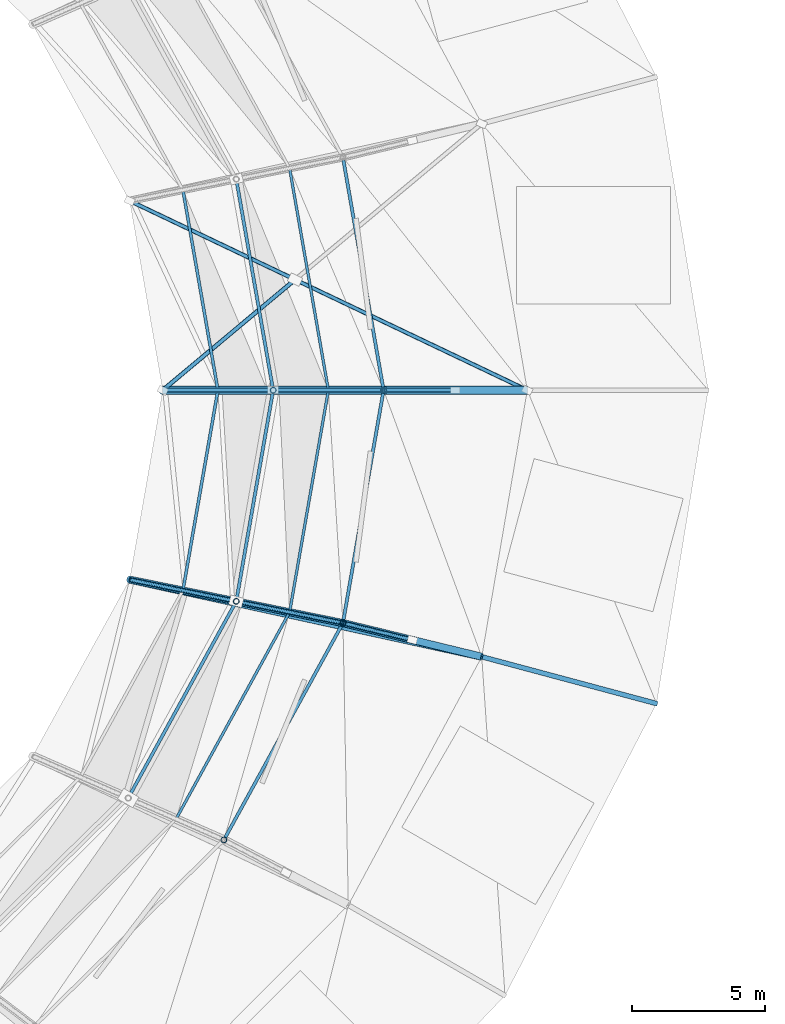
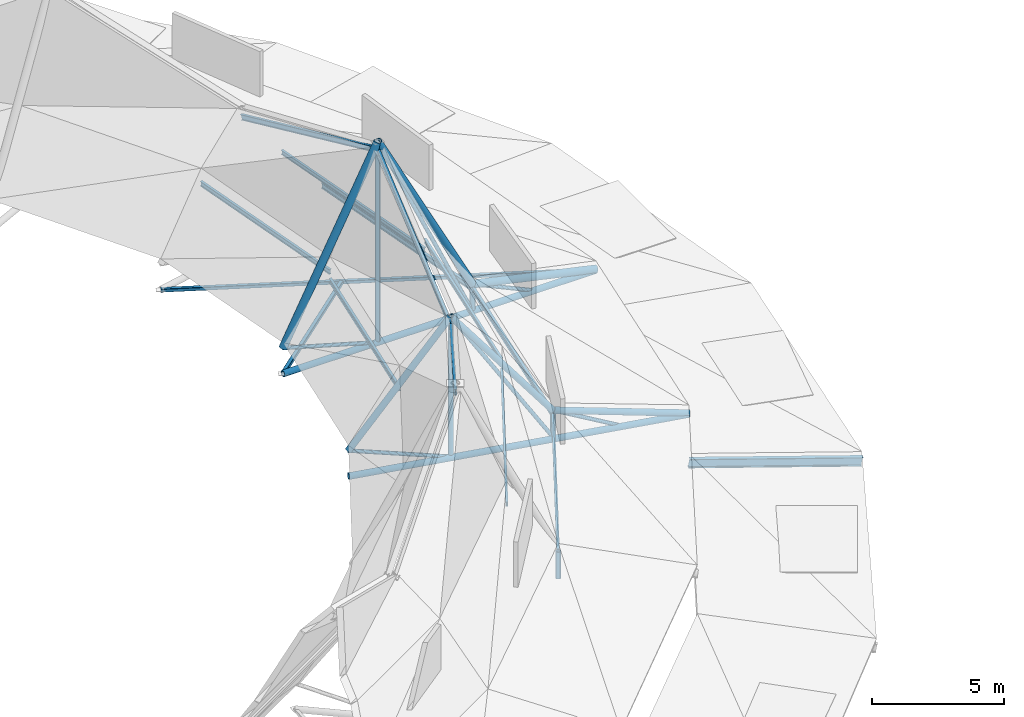
# One storey, part 18 of 36: 30 members, 3 beams.
"""IFC4 building model written with IfcOpenShell, lengths in metres."""

from ifc_helpers import new_model, si_unit, direction, frame, origin, origin_2d, place, context, subcontext, project, spatial, hollow_rectangle, hollow_circle, i_section, extrude, material, material_profile, profile_set, type_object, element, save


model = new_model("IFC4")

# Units and contexts
model_context = context("Model", 3, precision=1e-05, world=origin(), true_north=direction((0.0, 1.0)))
body_context = subcontext(model_context, "Body", "Model", "MODEL_VIEW")
ifc_project = project(units=[si_unit("LENGTHUNIT", "METRE"), si_unit("AREAUNIT", "SQUARE_METRE"), si_unit("VOLUMEUNIT", "CUBIC_METRE"), si_unit("PLANEANGLEUNIT", "RADIAN"), si_unit("MASSUNIT", "GRAM", prefix="KILO")], contexts=[model_context])

# Site, building, storey
site_placement = place(None, origin())
site = spatial("IfcSite", under=ifc_project, at=site_placement, CompositionType="ELEMENT")
building_placement = place(site_placement, origin())
building = spatial("IfcBuilding", under=site, at=building_placement, Name="Kildeholm Park Wholesale Market", CompositionType="ELEMENT")
storey_placement = place(building_placement, frame((0.0, 0.0, 17.39990234375)))
storey = spatial("IfcBuildingStorey", under=building, at=storey_placement, Name="Roof", CompositionType="ELEMENT", Elevation=17.39990234375)

# Beams
ifc_material = material(Name="Steel S355", Category="steel")
ifc_material_profile_1 = material_profile(ifc_material, i_section(OverallWidth=0.179931640625, OverallDepth=0.39990234375, WebThickness=0.008544921875, FlangeThickness=0.013427734375, FilletRadius=0.02099609375, at=origin_2d()), Name="IPE 400")
ifc_profile_set_1 = profile_set([ifc_material_profile_1], Name="Steel S355")
beam_type_1 = type_object("IfcBeamType", Name="Beam B-P01 IPE 400", PredefinedType="BEAM", material=ifc_profile_set_1)
beam_1_placement = place(storey_placement, frame((154.05810546875, 77.72412109375, -8.0244140625), z_axis=(-0.952422278961, 0.255140290138, 0.166719029766), x_axis=(-0.258761805275, -0.965941161837, 0.0)))
element("IfcBeam", 1, at=beam_1_placement, inside=storey, type_object=beam_type_1, Name="Beam BM-V1-RF-S1-23 BM-0357", PredefinedType="BEAM", context=body_context, shape_type="SweptSolid", body=[
    extrude(i_section(OverallWidth=0.179931640625, OverallDepth=0.39990234375, WebThickness=0.008544921875, FlangeThickness=0.013427734375, FilletRadius=0.02099609375, at=origin_2d()), origin(), (0.0, 0.0, 1.0), 6.897216796875),
])
ifc_material_profile_2 = material_profile(ifc_material, hollow_circle(Radius=0.136474609375, WallThickness=0.01611328125, at=origin_2d()), Name="CHS 273x16")
ifc_profile_set_2 = profile_set([ifc_material_profile_2], Name="Steel S355")
beam_type_2 = type_object("IfcBeamType", Name="Beam B-T01 CHS 273x16", PredefinedType="BEAM", material=ifc_profile_set_2)
beam_2_placement = place(storey_placement, frame((149.199951171875, 89.5, -4.6298828125), z_axis=(-1.0, 0.0, 0.0), x_axis=(0.0, -1.0, 0.0)))
element("IfcBeam", 2, at=beam_2_placement, inside=storey, type_object=beam_type_2, Name="Beam BM-V1-TIE-00 BM-0224", PredefinedType="BEAM", context=body_context, shape_type="SweptSolid", body=[
    extrude(hollow_circle(Radius=0.136474609375, WallThickness=0.01611328125, at=origin_2d()), origin(), (0.0, 0.0, 1.0), 13.699951171875),
])
beam_3_placement = place(storey_placement, frame((147.489013671875, 79.48388671875, -4.6298828125), z_axis=(-0.976846137752, 0.213943037181, 0.0), x_axis=(-0.213943037181, -0.976846137752, 0.0)))
element("IfcBeam", 3, at=beam_3_placement, inside=storey, type_object=beam_type_2, Name="Beam BM-V1-TIE-23 BM-0362", PredefinedType="BEAM", context=body_context, shape_type="SweptSolid", body=[
    extrude(hollow_circle(Radius=0.136474609375, WallThickness=0.01611328125, at=origin_2d()), origin(), (0.0, 0.0, 1.0), 13.546630859375),
])

# Members
ifc_material_profile_3 = material_profile(ifc_material, i_section(OverallWidth=0.10009765625, OverallDepth=0.199951171875, WebThickness=0.005615234375, FlangeThickness=0.008544921875, FilletRadius=0.011962890625, at=origin_2d()), Name="IPE 200")
ifc_profile_set_3 = profile_set([ifc_material_profile_3], Name="Steel S355")
member_type_1 = type_object("IfcMemberType", Name="Member PR-01 IPE 200", PredefinedType="PURLIN", material=ifc_profile_set_3)
member_1_placement = place(storey_placement, frame((141.72509765625, 89.5, -1.08056640625), z_axis=(-0.172029893705, 0.985091729572, 0.0), x_axis=(-0.985091729572, -0.172029893705, 0.0)))
element("IfcMember", 4, at=member_1_placement, inside=storey, type_object=member_type_1, Name="Member PR-V1-MDO-00 MEM-0011", PredefinedType="PURLIN", context=body_context, shape_type="SweptSolid", body=[
    extrude(i_section(OverallWidth=0.10009765625, OverallDepth=0.199951171875, WebThickness=0.005615234375, FlangeThickness=0.008544921875, FilletRadius=0.011962890625, at=origin_2d()), origin(), (0.0, 0.0, 1.0), 8.466796875),
])
member_2_placement = place(storey_placement, frame((136.0009765625, 73.387451171875, -1.0849609375), z_axis=(0.481311912793, 0.876549395415, 0.0), x_axis=(-0.876549395415, 0.481311912793, 0.0)))
element("IfcMember", 5, at=member_2_placement, inside=storey, type_object=member_type_1, Name="Member PR-V1-MDO-22 MEM-0293", PredefinedType="PURLIN", context=body_context, shape_type="SweptSolid", body=[
    extrude(i_section(OverallWidth=0.10009765625, OverallDepth=0.199951171875, WebThickness=0.005615234375, FlangeThickness=0.008544921875, FilletRadius=0.011962890625, at=origin_2d()), origin(), (0.0, 0.0, 1.0), 8.866455078125),
])
member_3_placement = place(storey_placement, frame((140.2685546875, 81.159423828125, -0.630126953125), z_axis=(0.172029893705, 0.985091729572, 0.0), x_axis=(-0.985091729572, 0.172029893705, 0.0)))
element("IfcMember", 6, at=member_3_placement, inside=storey, type_object=member_type_1, Name="Member PR-V1-MDO-23 MEM-0305", PredefinedType="PURLIN", context=body_context, shape_type="SweptSolid", body=[
    extrude(i_section(OverallWidth=0.10009765625, OverallDepth=0.199951171875, WebThickness=0.005615234375, FlangeThickness=0.008544921875, FilletRadius=0.011962890625, at=origin_2d()), origin(), (0.0, 0.0, 1.0), 8.466796875),
])
ifc_material_profile_4 = material_profile(ifc_material, i_section(OverallWidth=0.1201171875, OverallDepth=0.239990234375, WebThickness=0.006103515625, FlangeThickness=0.009765625, FilletRadius=0.014892578125, at=origin_2d()), Name="IPE 240")
ifc_profile_set_4 = profile_set([ifc_material_profile_4], Name="Steel S355")
member_type_2 = type_object("IfcMemberType", Name="Member PR-02 IPE 240", PredefinedType="PURLIN", material=ifc_profile_set_4)
member_4_placement = place(storey_placement, frame((143.800048828125, 89.5, -3.573486328125), z_axis=(-0.171964181022, 0.985103202941, 0.0), x_axis=(-0.985103202941, -0.171964181022, 0.0)))
element("IfcMember", 7, at=member_4_placement, inside=storey, type_object=member_type_2, Name="Member PR-V1-STP2-00 MEM-0009", PredefinedType="PURLIN", context=body_context, shape_type="SweptSolid", body=[
    extrude(i_section(OverallWidth=0.1201171875, OverallDepth=0.239990234375, WebThickness=0.006103515625, FlangeThickness=0.009765625, FilletRadius=0.014892578125, at=origin_2d()), origin(), (0.0, 0.0, 1.0), 8.88037109375),
])
member_5_placement = place(storey_placement, frame((139.64990234375, 89.5, 4.287353515625), z_axis=(-0.162556933897, 0.930443017445, -0.328406812552), x_axis=(-0.985079072811, -0.172102354168, 0.0)))
element("IfcMember", 8, at=member_5_placement, inside=storey, type_object=member_type_2, Name="Member PR-V1-CRWN-00 MEM-0010", PredefinedType="PURLIN", context=body_context, shape_type="SweptSolid", body=[
    extrude(i_section(OverallWidth=0.1201171875, OverallDepth=0.239990234375, WebThickness=0.006103515625, FlangeThickness=0.009765625, FilletRadius=0.014892578125, at=origin_2d()), origin(), (0.0, 0.0, 1.0), 8.526123046875),
])
member_6_placement = place(storey_placement, frame((137.798095703125, 72.60009765625, -3.586669921875), z_axis=(0.481203038707, 0.876609169208, 0.0), x_axis=(-0.876609169208, 0.481203038707, 0.0)))
element("IfcMember", 9, at=member_6_placement, inside=storey, type_object=member_type_2, Name="Member PR-V1-STP2-22 MEM-0291", PredefinedType="PURLIN", context=body_context, shape_type="SweptSolid", body=[
    extrude(i_section(OverallWidth=0.1201171875, OverallDepth=0.239990234375, WebThickness=0.006103515625, FlangeThickness=0.009765625, FilletRadius=0.014892578125, at=origin_2d()), origin(), (0.0, 0.0, 1.0), 9.29931640625),
])
member_7_placement = place(storey_placement, frame((134.2041015625, 74.175048828125, 4.250244140625), z_axis=(0.456875430623, 0.831849023572, -0.315106399292), x_axis=(-0.876501192801, 0.481399687389, 0.0)))
element("IfcMember", 10, at=member_7_placement, inside=storey, type_object=member_type_2, Name="Member PR-V1-CRWN-22 MEM-0292", PredefinedType="PURLIN", context=body_context, shape_type="SweptSolid", body=[
    extrude(i_section(OverallWidth=0.1201171875, OverallDepth=0.239990234375, WebThickness=0.006103515625, FlangeThickness=0.009765625, FilletRadius=0.014892578125, at=origin_2d()), origin(), (0.0, 0.0, 1.0), 8.885986328125),
])
member_8_placement = place(storey_placement, frame((142.27294921875, 80.751953125, -3.573486328125), z_axis=(0.171964181022, 0.985103202941, 0.0), x_axis=(-0.985103202941, 0.171964181022, 0.0)))
element("IfcMember", 11, at=member_8_placement, inside=storey, type_object=member_type_2, Name="Member PR-V1-STP2-23 MEM-0303", PredefinedType="PURLIN", context=body_context, shape_type="SweptSolid", body=[
    extrude(i_section(OverallWidth=0.1201171875, OverallDepth=0.239990234375, WebThickness=0.006103515625, FlangeThickness=0.009765625, FilletRadius=0.014892578125, at=origin_2d()), origin(), (0.0, 0.0, 1.0), 8.88037109375),
])
member_9_placement = place(storey_placement, frame((138.263916015625, 81.56689453125, 1.46435546875), z_axis=(0.162556933897, 0.930443017445, 0.328406812552), x_axis=(-0.985079072811, 0.172102354168, 0.0)))
element("IfcMember", 12, at=member_9_placement, inside=storey, type_object=member_type_2, Name="Member PR-V1-CRWN-23 MEM-0304", PredefinedType="PURLIN", context=body_context, shape_type="SweptSolid", body=[
    extrude(i_section(OverallWidth=0.1201171875, OverallDepth=0.239990234375, WebThickness=0.006103515625, FlangeThickness=0.009765625, FilletRadius=0.014892578125, at=origin_2d()), origin(), (0.0, 0.0, 1.0), 8.526123046875),
])
ifc_material_profile_5 = material_profile(ifc_material, i_section(OverallWidth=0.110107421875, OverallDepth=0.219970703125, WebThickness=0.005859375, FlangeThickness=0.00927734375, FilletRadius=0.011962890625, at=origin_2d()), Name="IPE 220")
ifc_profile_set_5 = profile_set([ifc_material_profile_5], Name="Steel S355")
member_type_3 = type_object("IfcMemberType", Name="Member PR-03 IPE 220", PredefinedType="PURLIN", material=ifc_profile_set_5)
for number, where, z_axis, x_axis, name in (
    (13, (137.574951171875, 89.5, -0.640380859375), (-0.172126056988, 0.985074931417, 0.0), (-0.985074931417, -0.172126056988, 0.0), "Member PR-V1-MDI-00 MEM-0012"),
    (14, (136.260009765625, 81.974609375, -1.030517578125), (0.172126056988, 0.985074931417, 0.0), (-0.985074931417, 0.172126056988, 0.0), "Member PR-V1-MDI-23 MEM-0306"),
):
    element("IfcMember", number, at=place(storey_placement, frame(where, z_axis=z_axis, x_axis=x_axis)), inside=storey, type_object=member_type_3, Name=name, PredefinedType="PURLIN", context=body_context, shape_type="SweptSolid", body=[
        extrude(i_section(OverallWidth=0.110107421875, OverallDepth=0.219970703125, WebThickness=0.005859375, FlangeThickness=0.00927734375, FilletRadius=0.011962890625, at=origin_2d()), origin(), (0.0, 0.0, 1.0), 7.639404296875),
    ])
ifc_material_profile_6 = material_profile(ifc_material, hollow_circle(Radius=0.084228515625, WallThickness=0.010009765625, at=origin_2d()), Name="CHS 168.3x10")
ifc_profile_set_6 = profile_set([ifc_material_profile_6], Name="Steel S355")
member_type_4 = type_object("IfcMemberType", Name="Member TB-01 CHS 168.3x10", PredefinedType="BRACE", material=ifc_profile_set_6)
member_10_placement = place(storey_placement, frame((146.5, 89.5, -4.6298828125), z_axis=(-0.908744235271, 0.0, 0.417353465136), x_axis=(0.0, -1.0, 0.0)))
element("IfcMember", 15, at=member_10_placement, inside=storey, type_object=member_type_4, Name="Member TR-V1-00-WB1 MEM-0006", PredefinedType="BRACE", context=body_context, shape_type="SweptSolid", body=[
    extrude(hollow_circle(Radius=0.084228515625, WallThickness=0.010009765625, at=origin_2d()), origin(), (0.0, 0.0, 1.0), 2.97119140625),
])
member_11_placement = place(storey_placement, frame((143.800048828125, 89.5, -4.6298828125), z_axis=(-0.407880908332, 0.0, 0.913035138764), x_axis=(0.0, -1.0, 0.0)))
element("IfcMember", 16, at=member_11_placement, inside=storey, type_object=member_type_4, Name="Member TR-V1-00-WB2 MEM-0007", PredefinedType="BRACE", context=body_context, shape_type="SweptSolid", body=[
    extrude(hollow_circle(Radius=0.084228515625, WallThickness=0.010009765625, at=origin_2d()), origin(), (0.0, 0.0, 1.0), 10.1748046875),
])
member_12_placement = place(storey_placement, frame((139.64990234375, 89.5, -4.6298828125), z_axis=(-0.96126316535, 0.0, 0.275632231317), x_axis=(0.0, -1.0, 0.0)))
element("IfcMember", 17, at=member_12_placement, inside=storey, type_object=member_type_4, Name="Member TR-V1-00-WB3 MEM-0008", PredefinedType="BRACE", context=body_context, shape_type="SweptSolid", body=[
    extrude(hollow_circle(Radius=0.084228515625, WallThickness=0.010009765625, at=origin_2d()), origin(), (0.0, 0.0, 1.0), 4.317138671875),
])
member_13_placement = place(storey_placement, frame((144.881103515625, 80.117919921875, -4.6298828125), z_axis=(-0.882118272304, 0.214439872056, 0.419383946928), x_axis=(-0.23621695959, -0.971700338583, 0.0)))
element("IfcMember", 18, at=member_13_placement, inside=storey, type_object=member_type_4, Name="Member TR-V1-23-WB1 MEM-0300", PredefinedType="BRACE", context=body_context, shape_type="SweptSolid", body=[
    extrude(hollow_circle(Radius=0.084228515625, WallThickness=0.010009765625, at=origin_2d()), origin(), (0.0, 0.0, 1.0), 2.956787109375),
])
member_14_placement = place(storey_placement, frame((142.27294921875, 80.751953125, -4.6298828125), z_axis=(-0.522567771104, 0.106225639117, 0.845954513078), x_axis=(-0.199202307798, -0.979958387161, 0.0)))
element("IfcMember", 19, at=member_14_placement, inside=storey, type_object=member_type_4, Name="Member TR-V1-23-WB2 MEM-0301", PredefinedType="BRACE", context=body_context, shape_type="SweptSolid", body=[
    extrude(hollow_circle(Radius=0.084228515625, WallThickness=0.010009765625, at=origin_2d()), origin(), (0.0, 0.0, 1.0), 7.671875),
])
member_15_placement = place(storey_placement, frame((138.263916015625, 81.56689453125, -4.6298828125), z_axis=(-0.940919042556, 0.191382107888, 0.279363999355), x_axis=(-0.199317895767, -0.979934883769, 0.0)))
element("IfcMember", 20, at=member_15_placement, inside=storey, type_object=member_type_4, Name="Member TR-V1-23-WB3 MEM-0302", PredefinedType="BRACE", context=body_context, shape_type="SweptSolid", body=[
    extrude(hollow_circle(Radius=0.084228515625, WallThickness=0.010009765625, at=origin_2d()), origin(), (0.0, 0.0, 1.0), 4.259521484375),
])
ifc_material_profile_7 = material_profile(ifc_material, hollow_circle(Radius=0.109619140625, WallThickness=0.012451171875, at=origin_2d()), Name="CHS 219.1x12.5")
ifc_profile_set_7 = profile_set([ifc_material_profile_7], Name="Steel S355")
member_type_5 = type_object("IfcMemberType", Name="Member TB-02 CHS 219.1x12.5", PredefinedType="BRACE", material=ifc_profile_set_7)
member_16_placement = place(storey_placement, frame((143.800048828125, 89.5, -4.6298828125), z_axis=(0.0, 0.0, 1.0), x_axis=(1.0, 0.0, 0.0)))
element("IfcMember", 21, at=member_16_placement, inside=storey, type_object=member_type_5, Name="Member TR-V1-00-VT1 MEM-0004", PredefinedType="BRACE", context=body_context, shape_type="SweptSolid", body=[
    extrude(hollow_circle(Radius=0.109619140625, WallThickness=0.012451171875, at=origin_2d()), origin(), (0.0, 0.0, 1.0), 1.239990234375),
])
member_17_placement = place(storey_placement, frame((139.64990234375, 89.5, -4.6298828125), z_axis=(0.0, 0.0, 1.0), x_axis=(1.0, 0.0, 0.0)))
element("IfcMember", 22, at=member_17_placement, inside=storey, type_object=member_type_5, Name="Member TR-V1-00-VT2 MEM-0005", PredefinedType="BRACE", context=body_context, shape_type="SweptSolid", body=[
    extrude(hollow_circle(Radius=0.109619140625, WallThickness=0.012451171875, at=origin_2d()), origin(), (0.0, 0.0, 1.0), 9.2900390625),
])
for number, where, z_axis, x_axis, name in (
    (23, (137.798095703125, 72.60009765625, -4.6298828125), (0.0, 0.0, 1.0), (1.0, 0.0, 0.0), "Member TR-V1-22-VT1 MEM-0286"),
    (24, (142.27294921875, 80.751953125, -4.6298828125), (0.0, 0.0, 1.0), (1.0, 0.0, 0.0), "Member TR-V1-23-VT1 MEM-0298"),
):
    element("IfcMember", number, at=place(storey_placement, frame(where, z_axis=z_axis, x_axis=x_axis)), inside=storey, type_object=member_type_5, Name=name, PredefinedType="BRACE", context=body_context, shape_type="SweptSolid", body=[
        extrude(hollow_circle(Radius=0.109619140625, WallThickness=0.012451171875, at=origin_2d()), origin(), (0.0, 0.0, 1.0), 1.239990234375),
    ])
member_18_placement = place(storey_placement, frame((138.263916015625, 81.56689453125, -4.6298828125), z_axis=(0.0, 0.0, 1.0), x_axis=(1.0, 0.0, 0.0)))
element("IfcMember", 25, at=member_18_placement, inside=storey, type_object=member_type_5, Name="Member TR-V1-23-VT2 MEM-0299", PredefinedType="BRACE", context=body_context, shape_type="SweptSolid", body=[
    extrude(hollow_circle(Radius=0.109619140625, WallThickness=0.012451171875, at=origin_2d()), origin(), (0.0, 0.0, 1.0), 6.489990234375),
])
ifc_material_profile_8 = material_profile(ifc_material, hollow_rectangle(XDim=0.14990234375, YDim=0.14990234375, WallThickness=0.010009765625, InnerFilletRadius=0.010009765625, OuterFilletRadius=0.02001953125, at=origin_2d()), Name="SHS 150x150x10")
ifc_profile_set_8 = profile_set([ifc_material_profile_8], Name="Steel S355")
member_type_6 = type_object("IfcMemberType", Name="Member TB-03 SHS 150x150x10", PredefinedType="BRACE", material=ifc_profile_set_8)
member_19_placement = place(storey_placement, frame((149.199951171875, 89.5, -4.6298828125), z_axis=(-0.902818256127, 0.43002232082, 0.0), x_axis=(-0.43002232082, -0.902818256127, 0.0)))
element("IfcMember", 26, at=member_19_placement, inside=storey, type_object=member_type_6, Name="Member BR-V1-RF-00-1 MEM-0013", PredefinedType="BRACE", context=body_context, shape_type="SweptSolid", body=[
    extrude(hollow_rectangle(XDim=0.14990234375, YDim=0.14990234375, WallThickness=0.010009765625, InnerFilletRadius=0.010009765625, OuterFilletRadius=0.02001953125, at=origin_2d()), origin(), (0.0, 0.0, 1.0), 16.552490234375),
])
ifc_material_profile_9 = material_profile(ifc_material, hollow_rectangle(XDim=0.159912109375, YDim=0.159912109375, WallThickness=0.010009765625, InnerFilletRadius=0.010009765625, OuterFilletRadius=0.02001953125, at=origin_2d()), Name="SHS 160x160x10")
ifc_profile_set_9 = profile_set([ifc_material_profile_9], Name="Steel S355")
member_type_7 = type_object("IfcMemberType", Name="Member TB-04 SHS 160x160x10", PredefinedType="BRACE", material=ifc_profile_set_9)
member_20_placement = place(storey_placement, frame((140.444091796875, 93.63037109375, -4.6298828125), z_axis=(-0.767434821697, -0.641126972173, 0.0), x_axis=(0.641126972173, -0.767434821697, 0.0)))
element("IfcMember", 27, at=member_20_placement, inside=storey, type_object=member_type_7, Name="Member BR-V1-RF-00-2B MEM-0015", PredefinedType="BRACE", context=body_context, shape_type="SweptSolid", body=[
    extrude(hollow_rectangle(XDim=0.159912109375, YDim=0.159912109375, WallThickness=0.010009765625, InnerFilletRadius=0.010009765625, OuterFilletRadius=0.02001953125, at=origin_2d()), origin(), (0.0, 0.0, 1.0), 6.4423828125),
])
ifc_material_profile_10 = material_profile(ifc_material, hollow_circle(Radius=0.161865234375, WallThickness=0.01611328125, at=origin_2d()), Name="CHS 323.9x16")
ifc_profile_set_10 = profile_set([ifc_material_profile_10], Name="Steel S355")
member_type_8 = type_object("IfcMemberType", Name="Member TC-01 CHS 323.9x16", PredefinedType="CHORD", material=ifc_profile_set_10)
member_21_placement = place(storey_placement, frame((149.199951171875, 89.5, -4.579833984375), z_axis=(-0.976569916083, 0.0, 0.215200369427), x_axis=(0.0, -1.0, 0.0)))
element("IfcMember", 28, at=member_21_placement, inside=storey, type_object=member_type_8, Name="Member TR-V1-00-TC1 MEM-0001", PredefinedType="CHORD", context=body_context, shape_type="SweptSolid", body=[
    extrude(hollow_circle(Radius=0.161865234375, WallThickness=0.01611328125, at=origin_2d()), origin(), (0.0, 0.0, 1.0), 5.529541015625),
])
member_22_placement = place(storey_placement, frame((143.800048828125, 89.5, -3.389892578125), z_axis=(-0.458231569826, 0.0, 0.888832846161), x_axis=(0.0, -1.0, 0.0)))
element("IfcMember", 29, at=member_22_placement, inside=storey, type_object=member_type_8, Name="Member TR-V1-00-TC2 MEM-0002", PredefinedType="CHORD", context=body_context, shape_type="SweptSolid", body=[
    extrude(hollow_circle(Radius=0.161865234375, WallThickness=0.01611328125, at=origin_2d()), origin(), (0.0, 0.0, 1.0), 9.056884765625),
])
member_23_placement = place(storey_placement, frame((139.64990234375, 89.5, 4.66015625), z_axis=(-0.455969160209, 0.0, -0.889995575797), x_axis=(0.0, -1.0, 0.0)))
element("IfcMember", 30, at=member_23_placement, inside=storey, type_object=member_type_8, Name="Member TR-V1-00-TC3 MEM-0003", PredefinedType="CHORD", context=body_context, shape_type="SweptSolid", body=[
    extrude(hollow_circle(Radius=0.161865234375, WallThickness=0.01611328125, at=origin_2d()), origin(), (0.0, 0.0, 1.0), 9.101318359375),
])
ifc_material_profile_11 = material_profile(ifc_material, hollow_circle(Radius=0.136474609375, WallThickness=0.01611328125, at=origin_2d()), Name="CHS 273x16")
ifc_profile_set_11 = profile_set([ifc_material_profile_11], Name="Steel S355")
member_type_9 = type_object("IfcMemberType", Name="Member TC-02 CHS 273x16", PredefinedType="CHORD", material=ifc_profile_set_11)
member_24_placement = place(storey_placement, frame((147.489013671875, 79.48388671875, -4.579833984375), z_axis=(-0.948668918069, 0.230628895879, 0.216419953507), x_axis=(-0.236227398885, -0.971697800767, 0.0)))
element("IfcMember", 31, at=member_24_placement, inside=storey, type_object=member_type_9, Name="Member TR-V1-23-TC1 MEM-0295", PredefinedType="CHORD", context=body_context, shape_type="SweptSolid", body=[
    extrude(hollow_circle(Radius=0.136474609375, WallThickness=0.01611328125, at=origin_2d()), origin(), (0.0, 0.0, 1.0), 5.498291015625),
])
member_25_placement = place(storey_placement, frame((142.27294921875, 80.751953125, -3.389892578125), z_axis=(-0.60234152746, 0.122441752552, 0.78879192537), x_axis=(-0.199202307798, -0.979958387161, 0.0)))
element("IfcMember", 32, at=member_25_placement, inside=storey, type_object=member_type_9, Name="Member TR-V1-23-TC2 MEM-0296", PredefinedType="CHORD", context=body_context, shape_type="SweptSolid", body=[
    extrude(hollow_circle(Radius=0.136474609375, WallThickness=0.01611328125, at=origin_2d()), origin(), (0.0, 0.0, 1.0), 6.65576171875),
])
member_26_placement = place(storey_placement, frame((138.263916015625, 81.56689453125, 1.860107421875), z_axis=(-0.598663896267, 0.121767711357, -0.791690699565), x_axis=(-0.199317895767, -0.979934883769, 0.0)))
element("IfcMember", 33, at=member_26_placement, inside=storey, type_object=member_type_9, Name="Member TR-V1-23-TC3 MEM-0297", PredefinedType="CHORD", context=body_context, shape_type="SweptSolid", body=[
    extrude(hollow_circle(Radius=0.136474609375, WallThickness=0.01611328125, at=origin_2d()), origin(), (0.0, 0.0, 1.0), 6.694580078125),
])

save(model, "model.ifc")
